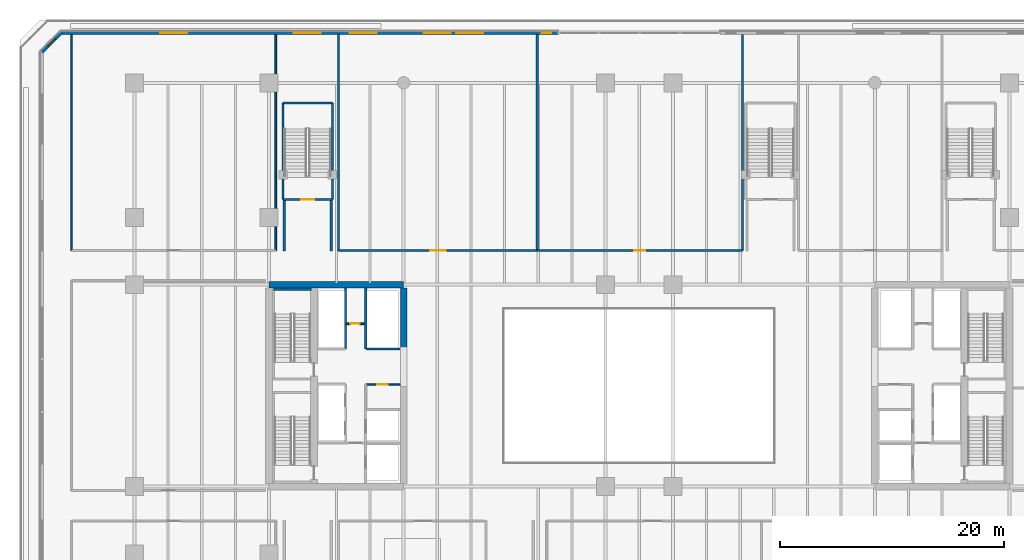
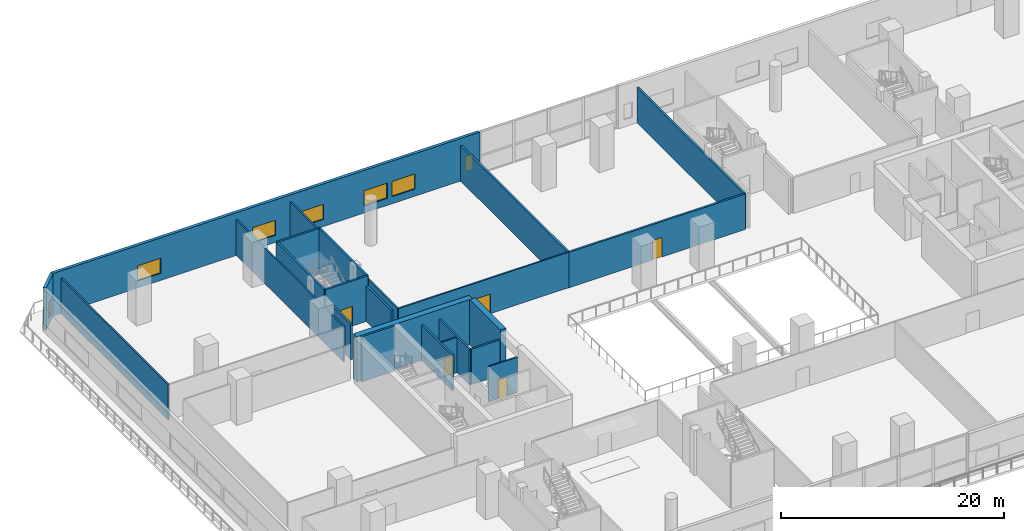
# One storey, part 13 of 27: 23 walls, 7 windows, 5 doors, 12 openings.
"""IFC4 building model written with IfcOpenShell, lengths in metres."""

from ifc_helpers import new_model, si_unit, direction, frame, frame_2d, origin, place, context, subcontext, project, spatial, rectangle, extrude, material, layer, layer_set, type_object, element, fill, save


model = new_model("IFC4")

# Units and contexts
model_context = context("Model", 3, precision=1e-05, world=origin(), true_north=direction((0.0, 1.0)))
body_context = subcontext(model_context, "Body", "Model", "MODEL_VIEW")
ifc_project = project(units=[si_unit("LENGTHUNIT", "METRE"), si_unit("AREAUNIT", "SQUARE_METRE"), si_unit("VOLUMEUNIT", "CUBIC_METRE"), si_unit("PLANEANGLEUNIT", "RADIAN"), si_unit("MASSUNIT", "GRAM", prefix="KILO")], contexts=[model_context])

# Site, building, storey
site_placement = place(None, origin())
site = spatial("IfcSite", under=ifc_project, at=site_placement, CompositionType="ELEMENT")
building_placement = place(site_placement, origin())
building = spatial("IfcBuilding", under=site, at=building_placement, Name="Tanjung Sevakor Pilgrim Tower", CompositionType="ELEMENT")
storey_placement = place(building_placement, frame((0.0, 0.0, 9.89990234375)))
storey = spatial("IfcBuildingStorey", under=building, at=storey_placement, Name="L03", CompositionType="ELEMENT", Elevation=9.89990234375)

# Walls
ifc_material_1 = material(Name="Concrete C60/75", Category="concrete")
ifc_layer_1 = layer(ifc_material_1, 0.60009765625)
ifc_layer_set_1 = layer_set([ifc_layer_1], Name="WALL-CW-600")
wall_type_1 = type_object("IfcWallType", Name="WALL-CW-600", PredefinedType="SHEAR", material=ifc_layer_set_1)
wall_1_placement = place(storey_placement, frame((36.0, 42.60009765625, 0.0), z_axis=(0.0, 0.0, 1.0), x_axis=(-1.0, 0.0, 0.0)))
element("IfcWall", 1, at=wall_1_placement, inside=storey, type_object=wall_type_1, Name="L03 W Core North Shear Wall", PredefinedType="SHEAR", context=body_context, shape_type="SweptSolid", body=[
    extrude(rectangle(XDim=12.0, YDim=0.60009765625, at=frame_2d((6.0, 0.0))), origin(), (0.0, 0.0, 1.0), 4.9501953125),
])
wall_2_placement = place(storey_placement, frame((36.0, 36.800048828125, 0.0), z_axis=(0.0, 0.0, 1.0), x_axis=(0.0, 1.0, 0.0)))
element("IfcWall", 2, at=wall_2_placement, inside=storey, type_object=wall_type_1, Name="L03 W Core Inner Shear Wall North", PredefinedType="SHEAR", context=body_context, shape_type="SweptSolid", body=[
    extrude(rectangle(XDim=5.5, YDim=0.60009765625, at=frame_2d((2.75, 0.0))), origin(), (0.0, 0.0, 1.0), 4.9501953125),
])

# Wall, opening, door
ifc_material_2 = material(Name="Concrete C40/50", Category="concrete")
ifc_layer_2 = layer(ifc_material_2, 0.14990234375)
ifc_layer_set_2 = layer_set([ifc_layer_2], Name="WT-COMP-150")
wall_type_2 = type_object("IfcWallType", Name="WT-COMP-150", PredefinedType="SOLIDWALL", material=ifc_layer_set_2)
wall_3_placement = place(storey_placement, frame((30.89990234375, 39.1298828125, 0.0), z_axis=(0.0, 0.0, 1.0), x_axis=(1.0, 0.0, 0.0)))
wall_3 = element("IfcWall", 3, at=wall_3_placement, inside=storey, type_object=wall_type_2, Name="L03 Partition IW-L03-003", PredefinedType="SOLIDWALL", context=body_context, shape_type="SweptSolid", body=[
    extrude(rectangle(XDim=1.60009765625, YDim=0.14990234375, at=frame_2d((0.800048828125, 0.0))), origin(), (0.0, 0.0, 1.0), 3.889892578125),
])
opening_1_placement = place(wall_3_placement, frame((0.35009765625, 0.0, 0.0)))
opening_1 = element("IfcOpeningElement", 4, at=opening_1_placement, cuts=wall_3, Name="Opening ID-FD3", PredefinedType="OPENING", context=body_context, shape_type="SweptSolid", body=[
    extrude(rectangle(XDim=0.85009765625, YDim=2.10009765625, at=frame_2d((0.425048828125, 1.050048828125))), frame((0.0, 0.0849609375, 0.0), z_axis=(0.0, -1.0, 0.0), x_axis=(1.0, 0.0, 0.0)), (0.0, 0.0, 1.0), 0.169921875),
])
ifc_material_3 = material(Name="Fire-Rated Timber", Category="wood")
door_type_1 = type_object("IfcDoorType", Name="DT-FIRE-850", OperationType="NOTDEFINED", PredefinedType="DOOR", material=ifc_material_3)
door_1_placement = place(opening_1_placement, origin())
door_1 = element("IfcDoor", 5, at=door_1_placement, inside=storey, type_object=door_type_1, Name="L03 North Core Store Door", OperationType="SINGLE_SWING_RIGHT", OverallHeight=2.10009765625, OverallWidth=0.85009765625, PredefinedType="DOOR", context=body_context, shape_type="SweptSolid", body=[
    extrude(rectangle(XDim=0.85009765625, YDim=2.10009765625, at=frame_2d((0.425048828125, 1.050048828125))), frame((0.0, 0.02490234375, 0.0), z_axis=(0.0, -1.0, 0.0), x_axis=(1.0, 0.0, 0.0)), (0.0, 0.0, 1.0), 0.050048828125),
])
fill(opening_1, door_1)

wall_4_placement = place(storey_placement, frame((32.679931640625, 33.719970703125, 0.0), z_axis=(0.0, 0.0, 1.0), x_axis=(1.0, 0.0, 0.0)))
wall_4 = element("IfcWall", 6, at=wall_4_placement, inside=storey, type_object=wall_type_2, Name="L03 Partition IW-L03-009", PredefinedType="SOLIDWALL", context=body_context, shape_type="SweptSolid", body=[
    extrude(rectangle(XDim=3.0, YDim=0.14990234375, at=frame_2d((1.5, 0.0))), origin(), (0.0, 0.0, 1.0), 3.889892578125),
])
opening_2_placement = place(wall_4_placement, frame((0.949951171875, 0.0, 0.0)))
opening_2 = element("IfcOpeningElement", 7, at=opening_2_placement, cuts=wall_4, Name="Opening ID-FD2", PredefinedType="OPENING", context=body_context, shape_type="SweptSolid", body=[
    extrude(rectangle(XDim=0.949951171875, YDim=2.14990234375, at=frame_2d((0.47509765625, 1.074951171875))), frame((0.0, 0.0849609375, 0.0), z_axis=(0.0, -1.0, 0.0), x_axis=(1.0, 0.0, 0.0)), (0.0, 0.0, 1.0), 0.169921875),
])
ifc_material_4 = material(Name="Fire-Rated Timber", Category="wood")
door_type_2 = type_object("IfcDoorType", Name="DT-FIRE-950", OperationType="NOTDEFINED", PredefinedType="DOOR", material=ifc_material_4)
door_2_placement = place(opening_2_placement, origin())
door_2 = element("IfcDoor", 8, at=door_2_placement, inside=storey, type_object=door_type_2, Name="L03 Accessible WC Door", OperationType="SINGLE_SWING_RIGHT", OverallHeight=2.14990234375, OverallWidth=0.949951171875, PredefinedType="DOOR", context=body_context, shape_type="SweptSolid", body=[
    extrude(rectangle(XDim=0.949951171875, YDim=2.14990234375, at=frame_2d((0.47509765625, 1.074951171875))), frame((0.0, 0.02490234375, 0.0), z_axis=(0.0, -1.0, 0.0), x_axis=(1.0, 0.0, 0.0)), (0.0, 0.0, 1.0), 0.050048828125),
])
fill(opening_2, door_2)

wall_5_placement = place(storey_placement, frame((30.199951171875, 45.64990234375, 0.0), z_axis=(0.0, 0.0, 1.0), x_axis=(1.0, 0.0, 0.0)))
wall_5 = element("IfcWall", 9, at=wall_5_placement, inside=storey, type_object=wall_type_2, Name="L03 Partition IW-L03-049", PredefinedType="SOLIDWALL", context=body_context, shape_type="SweptSolid", body=[
    extrude(rectangle(XDim=17.699951171875, YDim=0.14990234375, at=frame_2d((8.85009765625, 0.0))), origin(), (0.0, 0.0, 1.0), 3.889892578125),
])
opening_3_placement = place(wall_5_placement, frame((8.14990234375, 0.0, 0.0)))
opening_3 = element("IfcOpeningElement", 10, at=opening_3_placement, cuts=wall_5, Name="Opening ID-HD1", PredefinedType="OPENING", context=body_context, shape_type="SweptSolid", body=[
    extrude(rectangle(XDim=1.39990234375, YDim=2.14990234375, at=frame_2d((0.699951171875, 1.074951171875))), frame((0.0, 0.0849609375, 0.0), z_axis=(0.0, -1.0, 0.0), x_axis=(1.0, 0.0, 0.0)), (0.0, 0.0, 1.0), 0.169921875),
])
ifc_material_5 = material(Name="Hardwood Timber", Category="wood")
door_type_3 = type_object("IfcDoorType", Name="DT-INT-1400", OperationType="DOUBLE_DOOR_SINGLE_SWING", PredefinedType="DOOR", material=ifc_material_5)
door_3_placement = place(opening_3_placement, origin())
door_3 = element("IfcDoor", 11, at=door_3_placement, inside=storey, type_object=door_type_3, Name="L03 North Banquet Door", OperationType="SINGLE_SWING_RIGHT", OverallHeight=2.14990234375, OverallWidth=1.39990234375, PredefinedType="DOOR", context=body_context, shape_type="SweptSolid", body=[
    extrude(rectangle(XDim=1.39990234375, YDim=2.14990234375, at=frame_2d((0.699951171875, 1.074951171875))), frame((0.0, 0.02490234375, 0.0), z_axis=(0.0, -1.0, 0.0), x_axis=(1.0, 0.0, 0.0)), (0.0, 0.0, 1.0), 0.050048828125),
])
fill(opening_3, door_3)

# Walls
for number, where, z_axis, x_axis, name in (
    (12, (30.199951171875, 45.64990234375, 0.0), (0.0, 0.0, 1.0), (0.0, 1.0, 0.0), "L03 Partition IW-L03-050"),
    (13, (6.39990234375, 45.64990234375, 0.0), (0.0, 0.0, 1.0), (0.0, 1.0, 0.0), "L03 Partition IW-L03-066"),
    (14, (24.60009765625, 45.64990234375, 0.0), (0.0, 0.0, 1.0), (0.0, 1.0, 0.0), "L03 Partition IW-L03-067"),
):
    element("IfcWall", number, at=place(storey_placement, frame(where, z_axis=z_axis, x_axis=x_axis)), inside=storey, type_object=wall_type_2, Name=name, PredefinedType="SOLIDWALL", context=body_context, shape_type="SweptSolid", body=[
        extrude(rectangle(XDim=19.25, YDim=0.14990234375, at=frame_2d((9.625, 0.0))), origin(), (0.0, 0.0, 1.0), 3.889892578125),
    ])

# Wall, openings, windows
ifc_material_6 = material(Name="Precast concrete C45/55", Category="concrete")
ifc_layer_3 = layer(ifc_material_6, 0.300048828125)
ifc_layer_set_3 = layer_set([ifc_layer_3], Name="WT-EW-STN1")
wall_type_3 = type_object("IfcWallType", Name="WT-EW-STN1", PredefinedType="SOLIDWALL", material=ifc_layer_set_3)
wall_6_placement = place(storey_placement, frame((49.800048828125, 65.050048828125, 0.0), z_axis=(0.0, 0.0, 1.0), x_axis=(-1.0, 0.0, 0.0)))
wall_6 = element("IfcWall", 15, at=wall_6_placement, inside=storey, type_object=wall_type_3, Name="L03 Cascading Podium Limestone Wall N2", PredefinedType="SOLIDWALL", context=body_context, shape_type="SweptSolid", body=[
    extrude(rectangle(XDim=44.337890625, YDim=0.300048828125, at=frame_2d((22.1689453125, 0.0))), origin(), (0.0, 0.0, 1.0), 4.669921875),
])
opening_4_placement = place(wall_6_placement, frame((9.60009765625, 0.0, 0.780029296875)))
opening_4 = element("IfcOpeningElement", 16, at=opening_4_placement, cuts=wall_6, Name="Opening WN-P1-1660", PredefinedType="OPENING", context=body_context, shape_type="SweptSolid", body=[
    extrude(rectangle(XDim=2.39990234375, YDim=1.659912109375, at=frame_2d((1.199951171875, 0.830078125))), frame((0.0, 0.159912109375, 0.0), z_axis=(0.0, -1.0, 0.0), x_axis=(1.0, 0.0, 0.0)), (0.0, 0.0, 1.0), 0.320068359375),
])
opening_5_placement = place(wall_6_placement, frame((0.635009765625, 0.0, 0.780029296875)))
opening_5 = element("IfcOpeningElement", 17, at=opening_5_placement, cuts=wall_6, Name="Opening WN-SLM", PredefinedType="OPENING", context=body_context, shape_type="SweptSolid", body=[
    extrude(rectangle(XDim=0.85009765625, YDim=1.64990234375, at=frame_2d((0.425048828125, 0.824951171875))), frame((0.0, 0.159912109375, 0.0), z_axis=(0.0, -1.0, 0.0), x_axis=(1.0, 0.0, 0.0)), (0.0, 0.0, 1.0), 0.320068359375),
])
opening_6_placement = place(wall_6_placement, frame((33.10009765625, 0.0, 0.780029296875)))
opening_6 = element("IfcOpeningElement", 18, at=opening_6_placement, cuts=wall_6, Name="Opening WN-P1-1660", PredefinedType="OPENING", context=body_context, shape_type="SweptSolid", body=[
    extrude(rectangle(XDim=2.39990234375, YDim=1.659912109375, at=frame_2d((1.199951171875, 0.830078125))), frame((0.0, 0.159912109375, 0.0), z_axis=(0.0, -1.0, 0.0), x_axis=(1.0, 0.0, 0.0)), (0.0, 0.0, 1.0), 0.320068359375),
])
opening_7_placement = place(wall_6_placement, frame((21.199951171875, 0.0, 0.780029296875)))
opening_7 = element("IfcOpeningElement", 19, at=opening_7_placement, cuts=wall_6, Name="Opening WN-P1-1660", PredefinedType="OPENING", context=body_context, shape_type="SweptSolid", body=[
    extrude(rectangle(XDim=2.39990234375, YDim=1.659912109375, at=frame_2d((1.199951171875, 0.830078125))), frame((0.0, 0.159912109375, 0.0), z_axis=(0.0, -1.0, 0.0), x_axis=(1.0, 0.0, 0.0)), (0.0, 0.0, 1.0), 0.320068359375),
])
opening_8_placement = place(wall_6_placement, frame((6.718994140625, 0.0, 0.780029296875)))
opening_8 = element("IfcOpeningElement", 20, at=opening_8_placement, cuts=wall_6, Name="Opening WN-P1-1660", PredefinedType="OPENING", context=body_context, shape_type="SweptSolid", body=[
    extrude(rectangle(XDim=2.39990234375, YDim=1.659912109375, at=frame_2d((1.199951171875, 0.830078125))), frame((0.0, 0.159912109375, 0.0), z_axis=(0.0, -1.0, 0.0), x_axis=(1.0, 0.0, 0.0)), (0.0, 0.0, 1.0), 0.320068359375),
])
opening_9_placement = place(wall_6_placement, frame((16.218994140625, 0.0, 0.780029296875)))
opening_9 = element("IfcOpeningElement", 21, at=opening_9_placement, cuts=wall_6, Name="Opening WN-P1-1660", PredefinedType="OPENING", context=body_context, shape_type="SweptSolid", body=[
    extrude(rectangle(XDim=2.39990234375, YDim=1.659912109375, at=frame_2d((1.199951171875, 0.830078125))), frame((0.0, 0.159912109375, 0.0), z_axis=(0.0, -1.0, 0.0), x_axis=(1.0, 0.0, 0.0)), (0.0, 0.0, 1.0), 0.320068359375),
])
ifc_material_7 = material(Name="Thermally Broken Aluminium and Low-E Glass", Category="aluminium")
window_type_1 = type_object("IfcWindowType", Name="WTYP-WN-P1-1660", PartitioningType="DOUBLE_PANEL_VERTICAL", PredefinedType="WINDOW", material=ifc_material_7)
window_1_placement = place(opening_4_placement, origin())
window_1 = element("IfcWindow", 22, at=window_1_placement, inside=storey, type_object=window_type_1, Name="L03 Facade Window 01", OverallHeight=1.659912109375, OverallWidth=2.39990234375, PartitioningType="SINGLE_PANEL", PredefinedType="WINDOW", context=body_context, shape_type="SweptSolid", body=[
    extrude(rectangle(XDim=2.39990234375, YDim=1.659912109375, at=frame_2d((1.199951171875, 0.830078125))), frame((0.0, 0.030029296875, 0.0), z_axis=(0.0, -1.0, 0.0), x_axis=(1.0, 0.0, 0.0)), (0.0, 0.0, 1.0), 0.06005859375),
])
fill(opening_4, window_1)
window_2_placement = place(opening_6_placement, origin())
window_2 = element("IfcWindow", 23, at=window_2_placement, inside=storey, type_object=window_type_1, Name="L03 Facade Window 03", OverallHeight=1.659912109375, OverallWidth=2.39990234375, PartitioningType="SINGLE_PANEL", PredefinedType="WINDOW", context=body_context, shape_type="SweptSolid", body=[
    extrude(rectangle(XDim=2.39990234375, YDim=1.659912109375, at=frame_2d((1.199951171875, 0.830078125))), frame((0.0, 0.030029296875, 0.0), z_axis=(0.0, -1.0, 0.0), x_axis=(1.0, 0.0, 0.0)), (0.0, 0.0, 1.0), 0.06005859375),
])
fill(opening_6, window_2)
window_3_placement = place(opening_7_placement, origin())
window_3 = element("IfcWindow", 24, at=window_3_placement, inside=storey, type_object=window_type_1, Name="L03 Facade Window 04", OverallHeight=1.659912109375, OverallWidth=2.39990234375, PartitioningType="SINGLE_PANEL", PredefinedType="WINDOW", context=body_context, shape_type="SweptSolid", body=[
    extrude(rectangle(XDim=2.39990234375, YDim=1.659912109375, at=frame_2d((1.199951171875, 0.830078125))), frame((0.0, 0.030029296875, 0.0), z_axis=(0.0, -1.0, 0.0), x_axis=(1.0, 0.0, 0.0)), (0.0, 0.0, 1.0), 0.06005859375),
])
fill(opening_7, window_3)
window_4_placement = place(opening_8_placement, origin())
window_4 = element("IfcWindow", 25, at=window_4_placement, inside=storey, type_object=window_type_1, Name="L03 Facade Window 05", OverallHeight=1.659912109375, OverallWidth=2.39990234375, PartitioningType="SINGLE_PANEL", PredefinedType="WINDOW", context=body_context, shape_type="SweptSolid", body=[
    extrude(rectangle(XDim=2.39990234375, YDim=1.659912109375, at=frame_2d((1.199951171875, 0.830078125))), frame((0.0, 0.030029296875, 0.0), z_axis=(0.0, -1.0, 0.0), x_axis=(1.0, 0.0, 0.0)), (0.0, 0.0, 1.0), 0.06005859375),
])
fill(opening_8, window_4)
window_5_placement = place(opening_9_placement, origin())
window_5 = element("IfcWindow", 26, at=window_5_placement, inside=storey, type_object=window_type_1, Name="L03 Facade Window 06", OverallHeight=1.659912109375, OverallWidth=2.39990234375, PartitioningType="SINGLE_PANEL", PredefinedType="WINDOW", context=body_context, shape_type="SweptSolid", body=[
    extrude(rectangle(XDim=2.39990234375, YDim=1.659912109375, at=frame_2d((1.199951171875, 0.830078125))), frame((0.0, 0.030029296875, 0.0), z_axis=(0.0, -1.0, 0.0), x_axis=(1.0, 0.0, 0.0)), (0.0, 0.0, 1.0), 0.06005859375),
])
fill(opening_9, window_5)
ifc_material_8 = material(Name="Thermally Broken Aluminium and Low-E Glass", Category="aluminium")
window_type_2 = type_object("IfcWindowType", Name="WTYP-WN-SLM", PartitioningType="SINGLE_PANEL", PredefinedType="WINDOW", material=ifc_material_8)
window_6_placement = place(opening_5_placement, origin())
window_6 = element("IfcWindow", 27, at=window_6_placement, inside=storey, type_object=window_type_2, Name="L03 Facade Window 02", OverallHeight=1.64990234375, OverallWidth=0.85009765625, PartitioningType="SINGLE_PANEL", PredefinedType="WINDOW", context=body_context, shape_type="SweptSolid", body=[
    extrude(rectangle(XDim=0.85009765625, YDim=1.64990234375, at=frame_2d((0.425048828125, 0.824951171875))), frame((0.0, 0.030029296875, 0.0), z_axis=(0.0, -1.0, 0.0), x_axis=(1.0, 0.0, 0.0)), (0.0, 0.0, 1.0), 0.06005859375),
])
fill(opening_5, window_6)

# Wall, opening, window
wall_7_placement = place(storey_placement, frame((5.462158203125, 65.050048828125, 0.0), z_axis=(0.0, 0.0, 1.0), x_axis=(-0.707106781187, -0.707106781187, 0.0)))
wall_7 = element("IfcWall", 28, at=wall_7_placement, inside=storey, type_object=wall_type_3, Name="L03 MAIN Exterior Wall 6", PredefinedType="SOLIDWALL", context=body_context, shape_type="SweptSolid", body=[
    extrude(rectangle(XDim=2.42138671875, YDim=0.300048828125, at=frame_2d((1.210693359375, 0.0))), origin(), (0.0, 0.0, 1.0), 4.669921875),
])
opening_10_placement = place(wall_7_placement, frame((0.78564453125, 0.0, 0.780029296875)))
opening_10 = element("IfcOpeningElement", 29, at=opening_10_placement, cuts=wall_7, Name="Opening WN-SLM", PredefinedType="OPENING", context=body_context, shape_type="SweptSolid", body=[
    extrude(rectangle(XDim=0.85009765625, YDim=1.64990234375, at=frame_2d((0.425048828125, 0.824951171875))), frame((0.0, 0.159912109375, 0.0), z_axis=(0.0, -1.0, 0.0), x_axis=(1.0, 0.0, 0.0)), (0.0, 0.0, 1.0), 0.320068359375),
])
window_7_placement = place(opening_10_placement, origin())
window_7 = element("IfcWindow", 30, at=window_7_placement, inside=storey, type_object=window_type_2, Name="L03 Facade Window 01", OverallHeight=1.64990234375, OverallWidth=0.85009765625, PartitioningType="SINGLE_PANEL", PredefinedType="WINDOW", context=body_context, shape_type="SweptSolid", body=[
    extrude(rectangle(XDim=0.85009765625, YDim=1.64990234375, at=frame_2d((0.425048828125, 0.824951171875))), frame((0.0, 0.030029296875, 0.0), z_axis=(0.0, -1.0, 0.0), x_axis=(1.0, 0.0, 0.0)), (0.0, 0.0, 1.0), 0.06005859375),
])
fill(opening_10, window_7)

# Wall
ifc_material_9 = material(Name="Concrete C40/50", Category="concrete")
ifc_layer_4 = layer(ifc_material_9, 0.199951171875)
ifc_layer_set_4 = layer_set([ifc_layer_4], Name="WT-FIRE-200")
wall_type_4 = type_object("IfcWallType", Name="WT-FIRE-200", PredefinedType="SOLIDWALL", material=ifc_layer_set_4)
wall_8_placement = place(storey_placement, frame((27.800048828125, 42.199951171875, 0.0), z_axis=(0.0, 0.0, 1.0), x_axis=(-1.0, 0.0, 0.0)))
element("IfcWall", 31, at=wall_8_placement, inside=storey, type_object=wall_type_4, Name="L03 TS-W2 Shaft Wall 2", PredefinedType="SOLIDWALL", context=body_context, shape_type="SweptSolid", body=[
    extrude(rectangle(XDim=3.400146484375, YDim=0.199951171875, at=frame_2d((1.7001953125, 0.0))), origin(), (0.0, 0.0, 1.0), 4.9501953125),
])

# Wall, opening, door
wall_9_placement = place(storey_placement, frame((25.25, 50.199951171875, 0.0), z_axis=(0.0, 0.0, 1.0), x_axis=(1.0, 0.0, 0.0)))
wall_9 = element("IfcWall", 32, at=wall_9_placement, inside=storey, type_object=wall_type_4, Name="L03 PS-2 Shaft Wall 1", PredefinedType="SOLIDWALL", context=body_context, shape_type="SweptSolid", body=[
    extrude(rectangle(XDim=4.39990234375, YDim=0.199951171875, at=frame_2d((2.199951171875, 0.0))), origin(), (0.0, 0.0, 1.0), 4.9501953125),
])
opening_11_placement = place(wall_9_placement, frame((1.625, 0.0, 0.0)))
opening_11 = element("IfcOpeningElement", 33, at=opening_11_placement, cuts=wall_9, Name="Opening ID-ST1", PredefinedType="OPENING", context=body_context, shape_type="SweptSolid", body=[
    extrude(rectangle(XDim=1.14990234375, YDim=2.14990234375, at=frame_2d((0.574951171875, 1.074951171875))), frame((0.0, 0.10986328125, 0.0), z_axis=(0.0, -1.0, 0.0), x_axis=(1.0, 0.0, 0.0)), (0.0, 0.0, 1.0), 0.219970703125),
])
ifc_material_10 = material(Name="Fire-Rated Steel S355J2", Category="steel")
door_type_4 = type_object("IfcDoorType", Name="DT-FIRE-1150", OperationType="NOTDEFINED", PredefinedType="DOOR", material=ifc_material_10)
door_4_placement = place(opening_11_placement, origin())
door_4 = element("IfcDoor", 34, at=door_4_placement, inside=storey, type_object=door_type_4, Name="L03 PS-2 Stair Entry Fire Door", OperationType="SINGLE_SWING_LEFT", OverallHeight=2.14990234375, OverallWidth=1.14990234375, PredefinedType="DOOR", context=body_context, shape_type="SweptSolid", body=[
    extrude(rectangle(XDim=1.14990234375, YDim=2.14990234375, at=frame_2d((0.574951171875, 1.074951171875))), frame((0.0, 0.02490234375, 0.0), z_axis=(0.0, -1.0, 0.0), x_axis=(1.0, 0.0, 0.0)), (0.0, 0.0, 1.0), 0.050048828125),
])
fill(opening_11, door_4)

# Walls
wall_10_placement = place(storey_placement, frame((29.64990234375, 50.199951171875, 0.0), z_axis=(0.0, 0.0, 1.0), x_axis=(0.0, 1.0, 0.0)))
element("IfcWall", 35, at=wall_10_placement, inside=storey, type_object=wall_type_4, Name="L03 PS-2 Shaft Wall 2", PredefinedType="SOLIDWALL", context=body_context, shape_type="SweptSolid", body=[
    extrude(rectangle(XDim=8.60009765625, YDim=0.199951171875, at=frame_2d((4.300048828125, 0.0))), origin(), (0.0, 0.0, 1.0), 4.9501953125),
])
wall_11_placement = place(storey_placement, frame((29.64990234375, 58.800048828125, 0.0), z_axis=(0.0, 0.0, 1.0), x_axis=(-1.0, 0.0, 0.0)))
element("IfcWall", 36, at=wall_11_placement, inside=storey, type_object=wall_type_4, Name="L03 PS-2 Shaft Wall 3", PredefinedType="SOLIDWALL", context=body_context, shape_type="SweptSolid", body=[
    extrude(rectangle(XDim=4.39990234375, YDim=0.199951171875, at=frame_2d((2.199951171875, 0.0))), origin(), (0.0, 0.0, 1.0), 4.9501953125),
])
wall_12_placement = place(storey_placement, frame((25.25, 58.800048828125, 0.0), z_axis=(0.0, 0.0, 1.0), x_axis=(0.0, -1.0, 0.0)))
element("IfcWall", 37, at=wall_12_placement, inside=storey, type_object=wall_type_4, Name="L03 PS-2 Shaft Wall 4", PredefinedType="SOLIDWALL", context=body_context, shape_type="SweptSolid", body=[
    extrude(rectangle(XDim=8.60009765625, YDim=0.199951171875, at=frame_2d((4.300048828125, 0.0))), origin(), (0.0, 0.0, 1.0), 4.9501953125),
])
ifc_material_11 = material(Name="Concrete C40/50", Category="concrete")
ifc_layer_5 = layer(ifc_material_11, 0.199951171875)
ifc_layer_set_5 = layer_set([ifc_layer_5], Name="WT-FPRT-200")
wall_type_5 = type_object("IfcWallType", Name="WT-FPRT-200", PredefinedType="SOLIDWALL", material=ifc_layer_set_5)
wall_13_placement = place(storey_placement, frame((30.820068359375, 36.8798828125, 0.0), z_axis=(0.0, 0.0, 1.0), x_axis=(0.0, 1.0, 0.0)))
element("IfcWall", 38, at=wall_13_placement, inside=storey, type_object=wall_type_5, Name="L03 Partition IW-L03-011", PredefinedType="SOLIDWALL", context=body_context, shape_type="SweptSolid", body=[
    extrude(rectangle(XDim=5.420166015625, YDim=0.199951171875, at=frame_2d((2.7099609375, 0.0))), origin(), (0.0, 0.0, 1.0), 3.889892578125),
])
wall_14_placement = place(storey_placement, frame((32.679931640625, 36.8798828125, 0.0), z_axis=(0.0, 0.0, 1.0), x_axis=(1.0, 0.0, 0.0)))
element("IfcWall", 39, at=wall_14_placement, inside=storey, type_object=wall_type_5, Name="L03 Partition IW-L03-012", PredefinedType="SOLIDWALL", context=body_context, shape_type="SweptSolid", body=[
    extrude(rectangle(XDim=3.0, YDim=0.199951171875, at=frame_2d((1.5, 0.0))), origin(), (0.0, 0.0, 1.0), 3.889892578125),
])
wall_15_placement = place(storey_placement, frame((32.6201171875, 36.8798828125, 0.0), z_axis=(0.0, 0.0, 1.0), x_axis=(0.0, 1.0, 0.0)))
element("IfcWall", 40, at=wall_15_placement, inside=storey, type_object=wall_type_5, Name="L03 Partition IW-L03-013", PredefinedType="SOLIDWALL", context=body_context, shape_type="SweptSolid", body=[
    extrude(rectangle(XDim=5.420166015625, YDim=0.199951171875, at=frame_2d((2.7099609375, 0.0))), origin(), (0.0, 0.0, 1.0), 3.889892578125),
])
for number, where, z_axis, x_axis, name in (
    (41, (25.35009765625, 45.60009765625, 0.0), (0.0, 0.0, 1.0), (0.0, 1.0, 0.0), "L03 Partition IW-L03-033"),
    (42, (29.550048828125, 45.60009765625, 0.0), (0.0, 0.0, 1.0), (0.0, 1.0, 0.0), "L03 Partition IW-L03-034"),
):
    element("IfcWall", number, at=place(storey_placement, frame(where, z_axis=z_axis, x_axis=x_axis)), inside=storey, type_object=wall_type_5, Name=name, PredefinedType="SOLIDWALL", context=body_context, shape_type="SweptSolid", body=[
        extrude(rectangle(XDim=4.599853515625, YDim=0.199951171875, at=frame_2d((2.2998046875, 0.0))), origin(), (0.0, 0.0, 1.0), 3.889892578125),
    ])
wall_16_placement = place(storey_placement, frame((47.89990234375, 45.64990234375, 0.0), z_axis=(0.0, 0.0, 1.0), x_axis=(0.0, 1.0, 0.0)))
element("IfcWall", 43, at=wall_16_placement, inside=storey, type_object=wall_type_5, Name="L03 Partition IW-L03-051", PredefinedType="SOLIDWALL", context=body_context, shape_type="SweptSolid", body=[
    extrude(rectangle(XDim=19.25, YDim=0.199951171875, at=frame_2d((9.625, 0.0))), origin(), (0.0, 0.0, 1.0), 3.889892578125),
])

# Wall, opening, door
wall_17_placement = place(storey_placement, frame((47.89990234375, 45.64990234375, 0.0), z_axis=(0.0, 0.0, 1.0), x_axis=(1.0, 0.0, 0.0)))
wall_17 = element("IfcWall", 44, at=wall_17_placement, inside=storey, type_object=wall_type_5, Name="L03 Partition IW-L03-052", PredefinedType="SOLIDWALL", context=body_context, shape_type="SweptSolid", body=[
    extrude(rectangle(XDim=18.300048828125, YDim=0.199951171875, at=frame_2d((9.14990234375, 0.0))), origin(), (0.0, 0.0, 1.0), 3.889892578125),
])
opening_12_placement = place(wall_17_placement, frame((8.64990234375, 0.0, 0.0)))
opening_12 = element("IfcOpeningElement", 45, at=opening_12_placement, cuts=wall_17, Name="Opening ID-FD1", PredefinedType="OPENING", context=body_context, shape_type="SweptSolid", body=[
    extrude(rectangle(XDim=1.0, YDim=2.14990234375, at=frame_2d((0.5, 1.074951171875))), frame((0.0, 0.10986328125, 0.0), z_axis=(0.0, -1.0, 0.0), x_axis=(1.0, 0.0, 0.0)), (0.0, 0.0, 1.0), 0.219970703125),
])
ifc_material_12 = material(Name="Fire-Rated Steel S355J2", Category="steel")
door_type_5 = type_object("IfcDoorType", Name="DT-FIRE-1000", OperationType="NOTDEFINED", PredefinedType="DOOR", material=ifc_material_12)
door_5_placement = place(opening_12_placement, origin())
door_5 = element("IfcDoor", 46, at=door_5_placement, inside=storey, type_object=door_type_5, Name="L03 Halal Kitchen Door", OperationType="SINGLE_SWING_LEFT", OverallHeight=2.14990234375, OverallWidth=1.0, PredefinedType="DOOR", context=body_context, shape_type="SweptSolid", body=[
    extrude(rectangle(XDim=1.0, YDim=2.14990234375, at=frame_2d((0.5, 1.074951171875))), frame((0.0, 0.02490234375, 0.0), z_axis=(0.0, -1.0, 0.0), x_axis=(1.0, 0.0, 0.0)), (0.0, 0.0, 1.0), 0.050048828125),
])
fill(opening_12, door_5)

# Wall
wall_18_placement = place(storey_placement, frame((66.199951171875, 45.64990234375, 0.0), z_axis=(0.0, 0.0, 1.0), x_axis=(0.0, 1.0, 0.0)))
element("IfcWall", 47, at=wall_18_placement, inside=storey, type_object=wall_type_5, Name="L03 Partition IW-L03-053", PredefinedType="SOLIDWALL", context=body_context, shape_type="SweptSolid", body=[
    extrude(rectangle(XDim=19.25, YDim=0.199951171875, at=frame_2d((9.625, 0.0))), origin(), (0.0, 0.0, 1.0), 3.889892578125),
])

save(model, "model.ifc")
